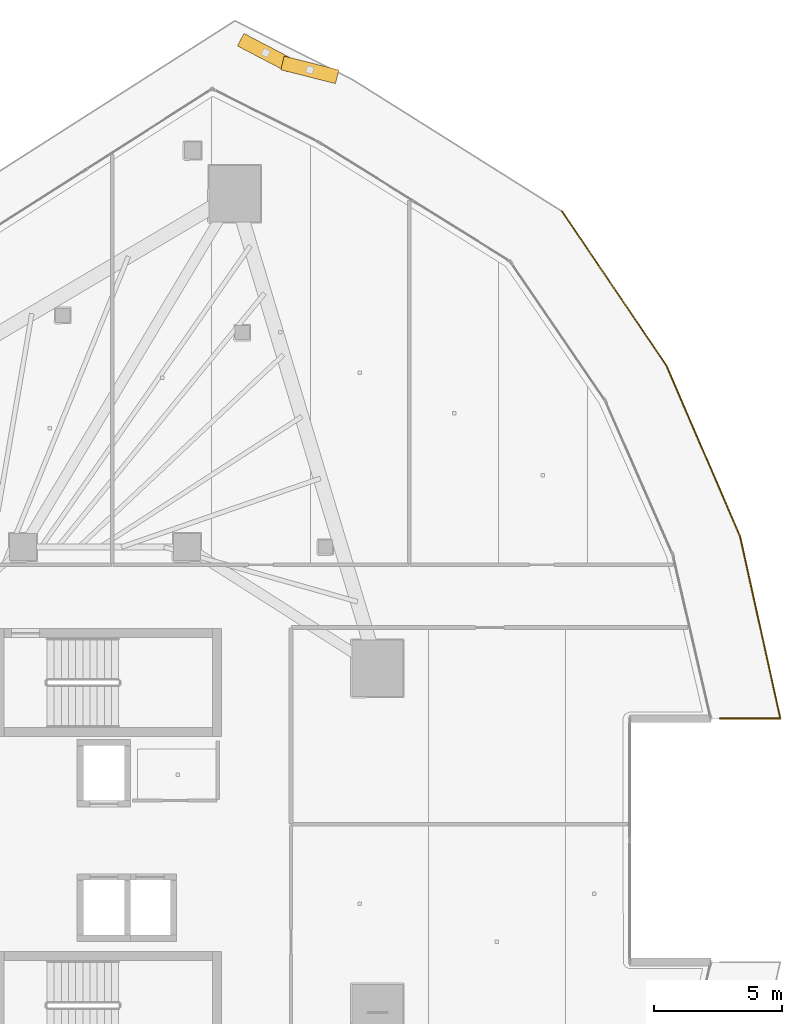
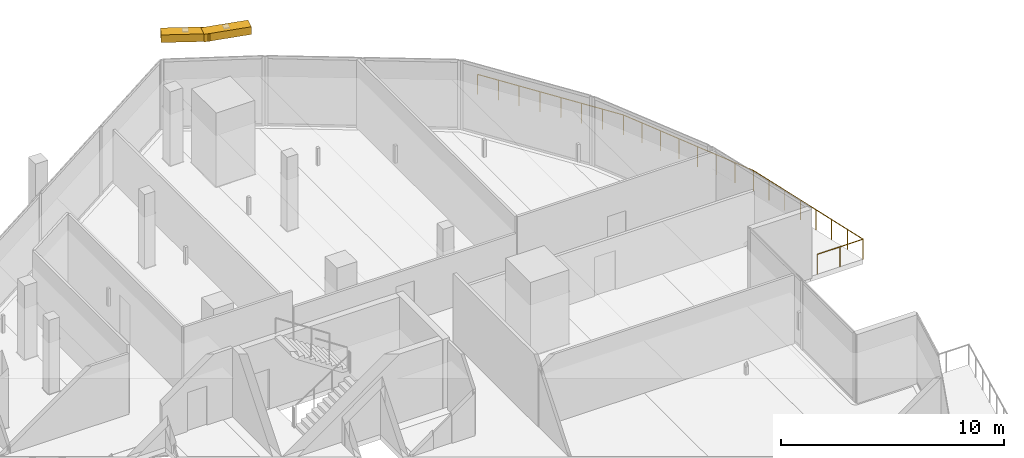
# One storey, part 38 of 38: 2 shading devices, 1 railing.
"""IFC4 building model written with IfcOpenShell, lengths in metres."""

from ifc_helpers import new_model, si_unit, direction, frame, origin, origin_2d, place, context, subcontext, project, spatial, rectangle, circle, extrude, material, type_object, element, save


model = new_model("IFC4")

# Units and contexts
model_context = context("Model", 3, precision=1e-05, world=origin(), true_north=direction((0.0, 1.0)))
body_context = subcontext(model_context, "Body", "Model", "MODEL_VIEW")
ifc_project = project(units=[si_unit("LENGTHUNIT", "METRE"), si_unit("AREAUNIT", "SQUARE_METRE"), si_unit("VOLUMEUNIT", "CUBIC_METRE"), si_unit("PLANEANGLEUNIT", "RADIAN"), si_unit("MASSUNIT", "GRAM", prefix="KILO")], contexts=[model_context])

# Site, building, storey
site_placement = place(None, origin())
site = spatial("IfcSite", under=ifc_project, at=site_placement, CompositionType="ELEMENT")
building_placement = place(site_placement, origin())
building = spatial("IfcBuilding", under=site, at=building_placement, Name="Qorvath Tower", CompositionType="ELEMENT")
storey_placement = place(building_placement, frame((0.0, 0.0, 158.39990234375)))
storey = spatial("IfcBuildingStorey", under=building, at=storey_placement, Name="L36", CompositionType="ELEMENT", Elevation=158.39990234375)

# Railing
ifc_material_1 = material(Name="Laminated safety glass and stainless steel AISI 316", Category="steel")
railing_type = type_object("IfcRailingType", Name="RL-EXT-GRD", PredefinedType="GUARDRAIL", material=ifc_material_1)
railing_placement = place(storey_placement, frame((-2.569091796875, 24.565185546875, 0.0)))
element("IfcRailing", 1, at=railing_placement, inside=storey, type_object=railing_type, Name="Loggia Perimeter Guardrail L36-1.1", PredefinedType="GUARDRAIL", context=body_context, shape_type="SweptSolid", body=[
    extrude(circle(Radius=0.02392578125, at=origin_2d()), frame((0.0, 0.0, 1.09619140625), z_axis=(0.560832566276, -0.827929243718, 0.0), x_axis=(0.827929243718, 0.560832566276, 0.0)), (0.0, 0.0, 1.0), 7.27685546875),
    extrude(circle(Radius=0.02392578125, at=origin_2d()), frame((4.0810546875, -6.024658203125, 1.09619140625), z_axis=(0.395489798179, -0.918470369439, 0.0), x_axis=(0.918470369439, 0.395489798179, 0.0)), (0.0, 0.0, 1.0), 7.27685546875),
    extrude(circle(Radius=0.02392578125, at=origin_2d()), frame((6.958984375, -12.708251953125, 1.09619140625), z_axis=(0.2160635918, -0.976379293256, 0.0), x_axis=(0.976379293256, 0.2160635918, 0.0)), (0.0, 0.0, 1.0), 7.27685546875),
    extrude(circle(Radius=0.02392578125, at=origin_2d()), frame((8.53125, -19.813232421875, 1.09619140625), z_axis=(-1.0, 0.0, 0.0), x_axis=(0.0, -1.0, 0.0)), (0.0, 0.0, 1.0), 2.366455078125),
    extrude(circle(Radius=0.02099609375, at=origin_2d()), origin(), (0.0, 0.0, 1.0), 1.072021484375),
    extrude(circle(Radius=0.02099609375, at=origin_2d()), frame((0.5830078125, -0.860595703125, 0.0)), (0.0, 0.0, 1.0), 1.072021484375),
    extrude(circle(Radius=0.02099609375, at=origin_2d()), frame((1.166015625, -1.721435546875, 0.0)), (0.0, 0.0, 1.0), 1.072021484375),
    extrude(circle(Radius=0.02099609375, at=origin_2d()), frame((1.7490234375, -2.58203125, 0.0)), (0.0, 0.0, 1.0), 1.072021484375),
    extrude(circle(Radius=0.02099609375, at=origin_2d()), frame((2.33203125, -3.442626953125, 0.0)), (0.0, 0.0, 1.0), 1.072021484375),
    extrude(circle(Radius=0.02099609375, at=origin_2d()), frame((2.9150390625, -4.30322265625, 0.0)), (0.0, 0.0, 1.0), 1.072021484375),
    extrude(circle(Radius=0.02099609375, at=origin_2d()), frame((3.498046875, -5.1640625, 0.0)), (0.0, 0.0, 1.0), 1.072021484375),
    extrude(circle(Radius=0.02099609375, at=origin_2d()), frame((4.0810546875, -6.024658203125, 0.0)), (0.0, 0.0, 1.0), 1.072021484375),
    extrude(circle(Radius=0.02099609375, at=origin_2d()), frame((4.4921875, -6.9794921875, 0.0)), (0.0, 0.0, 1.0), 1.072021484375),
    extrude(circle(Radius=0.02099609375, at=origin_2d()), frame((4.9033203125, -7.934326171875, 0.0)), (0.0, 0.0, 1.0), 1.072021484375),
    extrude(circle(Radius=0.02099609375, at=origin_2d()), frame((5.314453125, -8.88916015625, 0.0)), (0.0, 0.0, 1.0), 1.072021484375),
    extrude(circle(Radius=0.02099609375, at=origin_2d()), frame((5.7255859375, -9.84375, 0.0)), (0.0, 0.0, 1.0), 1.072021484375),
    extrude(circle(Radius=0.02099609375, at=origin_2d()), frame((6.13671875, -10.798583984375, 0.0)), (0.0, 0.0, 1.0), 1.072021484375),
    extrude(circle(Radius=0.02099609375, at=origin_2d()), frame((6.5478515625, -11.75341796875, 0.0)), (0.0, 0.0, 1.0), 1.072021484375),
    extrude(circle(Radius=0.02099609375, at=origin_2d()), frame((6.958984375, -12.708251953125, 0.0)), (0.0, 0.0, 1.0), 1.072021484375),
    extrude(circle(Radius=0.02099609375, at=origin_2d()), frame((7.18359375, -13.72314453125, 0.0)), (0.0, 0.0, 1.0), 1.072021484375),
    extrude(circle(Radius=0.02099609375, at=origin_2d()), frame((7.408203125, -14.73828125, 0.0)), (0.0, 0.0, 1.0), 1.072021484375),
    extrude(circle(Radius=0.02099609375, at=origin_2d()), frame((7.6328125, -15.753173828125, 0.0)), (0.0, 0.0, 1.0), 1.072021484375),
    extrude(circle(Radius=0.02099609375, at=origin_2d()), frame((7.857421875, -16.768310546875, 0.0)), (0.0, 0.0, 1.0), 1.072021484375),
    extrude(circle(Radius=0.02099609375, at=origin_2d()), frame((8.08203125, -17.783203125, 0.0)), (0.0, 0.0, 1.0), 1.072021484375),
    extrude(circle(Radius=0.02099609375, at=origin_2d()), frame((8.306640625, -18.79833984375, 0.0)), (0.0, 0.0, 1.0), 1.072021484375),
    extrude(circle(Radius=0.02099609375, at=origin_2d()), frame((8.53125, -19.813232421875, 0.0)), (0.0, 0.0, 1.0), 1.072021484375),
    extrude(circle(Radius=0.02099609375, at=origin_2d()), frame((7.34814453125, -19.813232421875, 0.0)), (0.0, 0.0, 1.0), 1.072021484375),
    extrude(circle(Radius=0.02099609375, at=origin_2d()), frame((6.164794921875, -19.813232421875, 0.0)), (0.0, 0.0, 1.0), 1.072021484375),
])

# Shading devices
ifc_material_2 = material(Name="Anodised bronze-champagne aluminium", Category="aluminium")
shading_device_type = type_object("IfcShadingDeviceType", Name="SD-LOUVRE", PredefinedType="JALOUSIE", material=ifc_material_2)
for number, where, z_axis, x_axis, name in (
    (2, (-12.4091796875, 30.076904296875, 3.360107421875), (0.0, 0.0, 1.0), (-0.969383666808, 0.24555102632, 0.0), "Sinusoidal Wave Louvre Blade L36-05"),
    (3, (-14.1328125, 30.74462890625, 3.360107421875), (0.0, 0.0, 1.0), (-0.886699553211, 0.462346085022, 0.0), "Sinusoidal Wave Louvre Blade L36-06"),
):
    element("IfcShadingDevice", number, at=place(storey_placement, frame(where, z_axis=z_axis, x_axis=x_axis)), inside=storey, type_object=shading_device_type, Name=name, PredefinedType="NOTDEFINED", context=body_context, shape_type="SweptSolid", body=[
        extrude(rectangle(XDim=2.199951171875, YDim=0.550048828125, at=origin_2d()), origin(), (0.0, 0.0, 1.0), 0.419921875),
    ])

save(model, "model.ifc")
